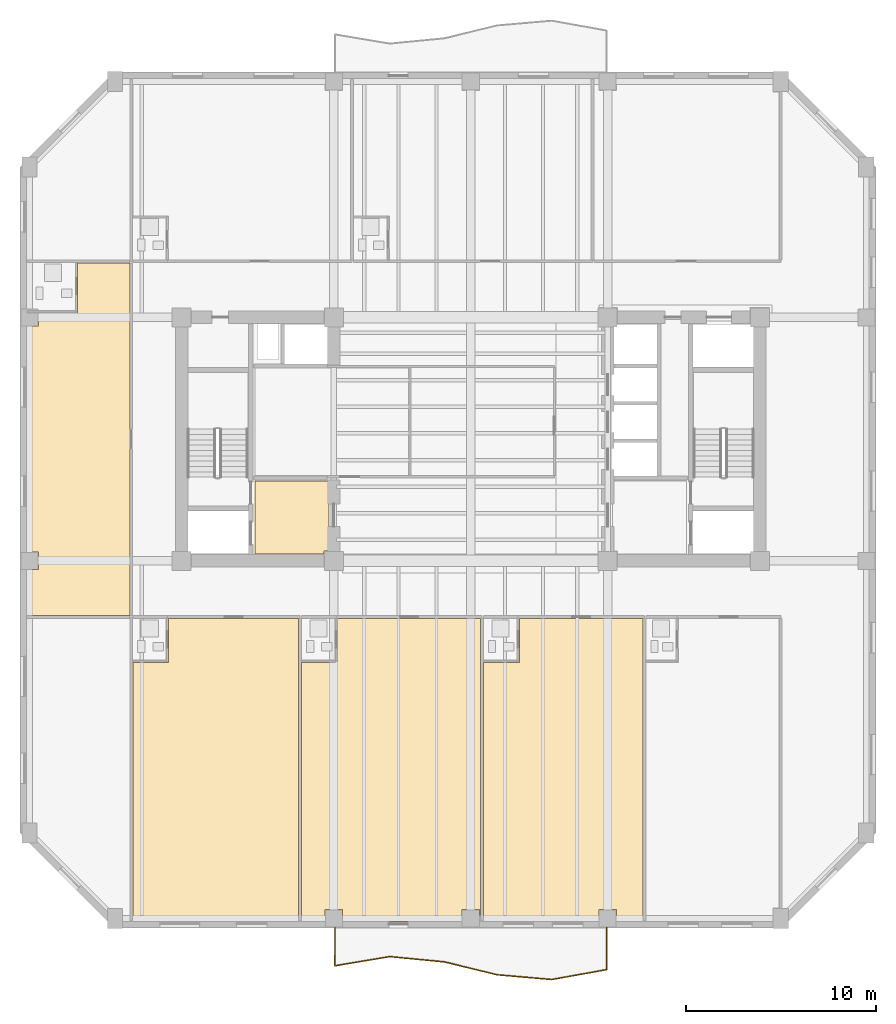
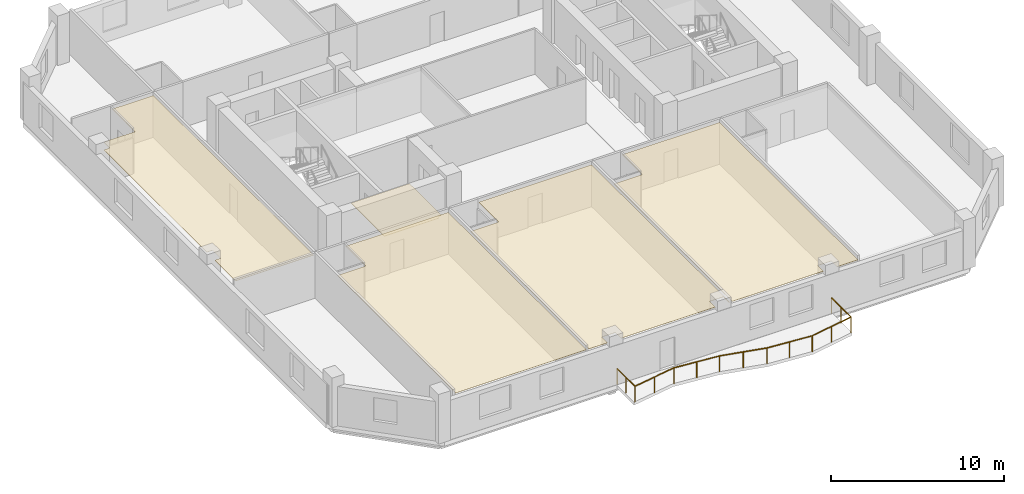
# One storey, part 6 of 10: 5 coverings, 1 railing.
"""IFC4 building model written with IfcOpenShell, lengths in metres."""

from ifc_helpers import new_model, si_unit, direction, frame, origin, origin_2d, place, context, subcontext, project, spatial, polyline, circle, outline, extrude, material, layer, layer_set, type_object, element, save


model = new_model("IFC4")

# Units and contexts
model_context = context("Model", 3, precision=1e-05, world=origin(), true_north=direction((0.0, 1.0)))
body_context = subcontext(model_context, "Body", "Model", "MODEL_VIEW")
ifc_project = project(units=[si_unit("LENGTHUNIT", "METRE"), si_unit("AREAUNIT", "SQUARE_METRE"), si_unit("VOLUMEUNIT", "CUBIC_METRE"), si_unit("PLANEANGLEUNIT", "RADIAN"), si_unit("MASSUNIT", "GRAM", prefix="KILO")], contexts=[model_context])

# Site, building, storey
site_placement = place(None, origin())
site = spatial("IfcSite", under=ifc_project, at=site_placement, CompositionType="ELEMENT")
building_placement = place(site_placement, origin())
building = spatial("IfcBuilding", under=site, at=building_placement, Name="Kranthara Brick Stack", CompositionType="ELEMENT")
storey_placement = place(building_placement, frame((0.0, 0.0, 123.800048828125)))
storey = spatial("IfcBuildingStorey", under=building, at=storey_placement, Name="L30", CompositionType="ELEMENT", Elevation=123.800048828125)

# Coverings
ifc_material_1 = material(Name="Perforated mineral-fibre acoustic ceiling tile", Category="other")
ifc_layer_1 = layer(ifc_material_1, 0.02490234375)
ifc_layer_set_1 = layer_set([ifc_layer_1], Name="Perforated mineral-fibre acoustic ceiling tile")
covering_type_1 = type_object("IfcCoveringType", Name="COV-CEIL-ACOUSTIC", PredefinedType="CEILING", material=ifc_layer_set_1)
covering_1_placement = place(storey_placement, frame((0.0, 0.0, 2.929931640625)))
element("IfcCovering", 1, at=covering_1_placement, inside=storey, type_object=covering_type_1, Name="L30 Room L30-01 Corner Junior Suite Acoustic Ceiling", PredefinedType="CEILING", context=body_context, shape_type="SweptSolid", body=[
    extrude(outline(polyline([(10.22998046875, 1.800048828125), (18.948974609375, 1.800048828125), (18.948974609375, 17.77001953125), (12.110107421875, 17.77001953125), (12.110107421875, 15.4599609375), (10.22998046875, 15.4599609375), (10.22998046875, 1.800048828125)])), origin(), (0.0, 0.0, 1.0), 0.02490234375),
])
covering_2_placement = place(storey_placement, frame((0.0, 0.0, 2.929931640625)))
element("IfcCovering", 2, at=covering_2_placement, inside=storey, type_object=covering_type_1, Name="L30 Room L30-02 Corner Junior Suite Acoustic Ceiling", PredefinedType="CEILING", context=body_context, shape_type="SweptSolid", body=[
    extrude(outline(polyline([(19.10888671875, 15.4599609375), (20.989013671875, 15.4599609375), (20.989013671875, 17.77001953125), (28.510986328125, 17.77001953125), (28.510986328125, 1.800048828125), (28.4599609375, 1.800048828125), (28.4599609375, 2.4599609375), (27.5400390625, 2.4599609375), (27.5400390625, 1.800048828125), (21.260009765625, 1.800048828125), (21.260009765625, 2.4599609375), (20.340087890625, 2.4599609375), (20.340087890625, 1.800048828125), (19.10888671875, 1.800048828125), (19.10888671875, 15.4599609375)])), origin(), (0.0, 0.0, 1.0), 0.02490234375),
])
covering_3_placement = place(storey_placement, frame((0.0, 0.0, 2.929931640625)))
element("IfcCovering", 3, at=covering_3_placement, inside=storey, type_object=covering_type_1, Name="L30 Room L30-03 Corner Junior Suite Acoustic Ceiling", PredefinedType="CEILING", context=body_context, shape_type="SweptSolid", body=[
    extrude(outline(polyline([(28.6708984375, 1.800048828125), (28.6708984375, 15.4599609375), (30.551025390625, 15.4599609375), (30.551025390625, 17.77001953125), (37.049072265625, 17.77001953125), (37.049072265625, 1.800048828125), (35.659912109375, 1.800048828125), (35.659912109375, 2.4599609375), (34.739990234375, 2.4599609375), (34.739990234375, 1.800048828125), (28.6708984375, 1.800048828125)])), origin(), (0.0, 0.0, 1.0), 0.02490234375),
])
covering_4_placement = place(storey_placement, frame((0.0, 0.0, 2.929931640625)))
element("IfcCovering", 4, at=covering_4_placement, inside=storey, type_object=covering_type_1, Name="L30 Room L30-08 Corner Junior Suite Acoustic Ceiling", PredefinedType="CEILING", context=body_context, shape_type="SweptSolid", body=[
    extrude(outline(polyline([(7.330078125, 33.840087890625), (7.330078125, 36.469970703125), (10.080078125, 36.469970703125), (10.080078125, 17.929931640625), (4.8701171875, 17.929931640625), (4.8701171875, 20.340087890625), (5.260009765625, 20.340087890625), (5.260009765625, 21.260009765625), (4.8701171875, 21.260009765625), (4.8701171875, 33.139892578125), (5.260009765625, 33.139892578125), (5.260009765625, 33.840087890625), (7.330078125, 33.840087890625)])), origin(), (0.0, 0.0, 1.0), 0.02490234375),
])
ifc_material_2 = material(Name="Honed terrazzo and porcelain floor finish", Category="stone")
ifc_layer_2 = layer(ifc_material_2, 0.030029296875)
ifc_layer_set_2 = layer_set([ifc_layer_2], Name="Honed terrazzo and porcelain floor finish")
covering_type_2 = type_object("IfcCoveringType", Name="COV-FLOR-STONE", PredefinedType="FLOORING", material=ifc_layer_set_2)
covering_5_placement = place(storey_placement, origin())
element("IfcCovering", 5, at=covering_5_placement, inside=storey, type_object=covering_type_2, Name="L30 Lift Lobby Stone Flooring", PredefinedType="FLOORING", context=body_context, shape_type="SweptSolid", body=[
    extrude(outline(polyline([(16.64990234375, 21.14990234375), (16.64990234375, 25.0), (20.550048828125, 25.0), (20.550048828125, 21.31005859375), (20.2900390625, 21.31005859375), (20.2900390625, 21.14990234375), (16.64990234375, 21.14990234375)])), origin(), (0.0, 0.0, 1.0), 0.030029296875),
])

# Railing
ifc_material_3 = material(Name="Bronze anodised aluminium and laminated glass balustrade", Category="aluminium")
railing_type = type_object("IfcRailingType", Name="RL-BALC-1120", PredefinedType="BALUSTRADE", material=ifc_material_3)
railing_placement = place(storey_placement, frame((35.139892578125, 1.56005859375, 0.0)))
element("IfcRailing", 6, at=railing_placement, inside=storey, type_object=railing_type, Name="L30 South Rippling Balcony Balustrade", PredefinedType="BALUSTRADE", context=body_context, shape_type="SweptSolid", body=[
    extrude(circle(Radius=0.02392578125, at=origin_2d()), frame((0.0, 0.0, 1.09619140625), z_axis=(0.000108236822, -0.999999994142, 0.0), x_axis=(0.999999994142, 0.000108236822, 0.0)), (0.0, 0.0, 1.0), 2.255615234375),
    extrude(circle(Radius=0.02392578125, at=origin_2d()), frame((0.000244140625, -2.255615234375, 1.09619140625), z_axis=(-0.984169056718, -0.177232242549, 0.0), x_axis=(0.177232242549, -0.984169056718, 0.0)), (0.0, 0.0, 1.0), 2.924560546875),
    extrude(circle(Radius=0.02392578125, at=origin_2d()), frame((-2.8779296875, -2.77392578125, 1.09619140625), z_axis=(-0.996293142626, 0.086023101292, 0.0), x_axis=(-0.086023101292, -0.996293142626, 0.0)), (0.0, 0.0, 1.0), 2.883544921875),
    extrude(circle(Radius=0.02392578125, at=origin_2d()), frame((-5.750732421875, -2.52587890625, 1.09619140625), z_axis=(-0.971442880929, 0.237273532222, 0.0), x_axis=(-0.237273532222, -0.971442880929, 0.0)), (0.0, 0.0, 1.0), 2.851318359375),
    extrude(circle(Radius=0.02392578125, at=origin_2d()), frame((-8.5205078125, -1.849365234375, 1.09619140625), z_axis=(-0.995336692502, 0.096461746611, 0.0), x_axis=(-0.096461746611, -0.995336692502, 0.0)), (0.0, 0.0, 1.0), 2.892822265625),
    extrude(circle(Radius=0.02392578125, at=origin_2d()), frame((-11.39990234375, -1.5703125, 1.09619140625), z_axis=(-0.986314721752, -0.164873495914, 0.0), x_axis=(0.164873495914, -0.986314721752, 0.0)), (0.0, 0.0, 1.0), 2.920166015625),
    extrude(circle(Radius=0.02392578125, at=origin_2d()), frame((-14.280029296875, -2.0517578125, 1.09619140625), z_axis=(0.000118990956, 0.999999992921, 0.0), x_axis=(-0.999999992921, 0.000118990956, 0.0)), (0.0, 0.0, 1.0), 2.0517578125),
    extrude(circle(Radius=0.02099609375, at=origin_2d()), origin(), (0.0, 0.0, 1.0), 1.072021484375),
    extrude(circle(Radius=0.02099609375, at=origin_2d()), frame((0.0, -1.1279296875, 0.0)), (0.0, 0.0, 1.0), 1.072021484375),
    extrude(circle(Radius=0.02099609375, at=origin_2d()), frame((0.000244140625, -2.255615234375, 0.0)), (0.0, 0.0, 1.0), 1.072021484375),
    extrude(circle(Radius=0.02099609375, at=origin_2d()), frame((-1.43896484375, -2.5146484375, 0.0)), (0.0, 0.0, 1.0), 1.072021484375),
    extrude(circle(Radius=0.02099609375, at=origin_2d()), frame((-2.8779296875, -2.77392578125, 0.0)), (0.0, 0.0, 1.0), 1.072021484375),
    extrude(circle(Radius=0.02099609375, at=origin_2d()), frame((-4.314453125, -2.64990234375, 0.0)), (0.0, 0.0, 1.0), 1.072021484375),
    extrude(circle(Radius=0.02099609375, at=origin_2d()), frame((-5.750732421875, -2.52587890625, 0.0)), (0.0, 0.0, 1.0), 1.072021484375),
    extrude(circle(Radius=0.02099609375, at=origin_2d()), frame((-7.1357421875, -2.1875, 0.0)), (0.0, 0.0, 1.0), 1.072021484375),
    extrude(circle(Radius=0.02099609375, at=origin_2d()), frame((-8.5205078125, -1.849365234375, 0.0)), (0.0, 0.0, 1.0), 1.072021484375),
    extrude(circle(Radius=0.02099609375, at=origin_2d()), frame((-9.960205078125, -1.7099609375, 0.0)), (0.0, 0.0, 1.0), 1.072021484375),
    extrude(circle(Radius=0.02099609375, at=origin_2d()), frame((-11.39990234375, -1.5703125, 0.0)), (0.0, 0.0, 1.0), 1.072021484375),
    extrude(circle(Radius=0.02099609375, at=origin_2d()), frame((-12.83984375, -1.81103515625, 0.0)), (0.0, 0.0, 1.0), 1.072021484375),
    extrude(circle(Radius=0.02099609375, at=origin_2d()), frame((-14.280029296875, -2.0517578125, 0.0)), (0.0, 0.0, 1.0), 1.072021484375),
    extrude(circle(Radius=0.02099609375, at=origin_2d()), frame((-14.27978515625, -1.02587890625, 0.0)), (0.0, 0.0, 1.0), 1.072021484375),
    extrude(circle(Radius=0.02099609375, at=origin_2d()), frame((-14.27978515625, 0.0, 0.0)), (0.0, 0.0, 1.0), 1.072021484375),
])

save(model, "model.ifc")
